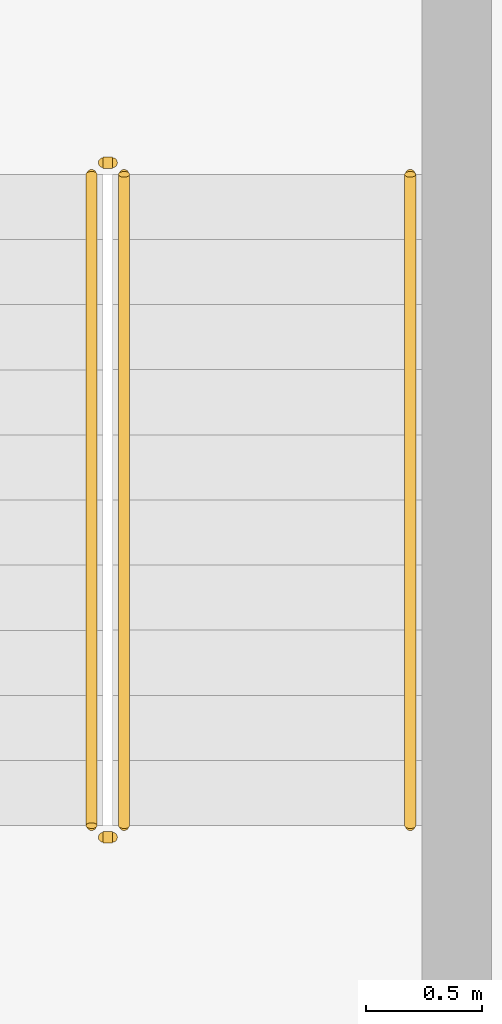
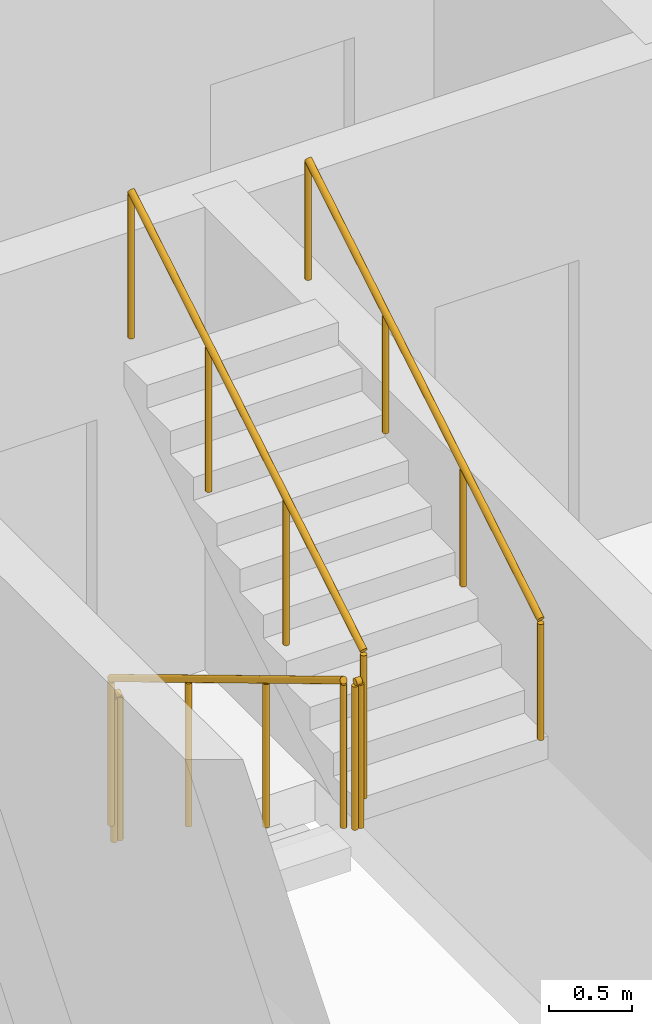
# One storey, part 21 of 22: 5 railings.
"""IFC4 building model written with IfcOpenShell, lengths in metres."""

from ifc_helpers import new_model, si_unit, direction, frame, origin, origin_2d, place, context, subcontext, project, spatial, circle, extrude, material, type_object, element, save


model = new_model("IFC4")

# Units and contexts
model_context = context("Model", 3, precision=1e-05, world=origin(), true_north=direction((0.0, 1.0)))
body_context = subcontext(model_context, "Body", "Model", "MODEL_VIEW")
ifc_project = project(units=[si_unit("LENGTHUNIT", "METRE"), si_unit("AREAUNIT", "SQUARE_METRE"), si_unit("VOLUMEUNIT", "CUBIC_METRE"), si_unit("PLANEANGLEUNIT", "RADIAN"), si_unit("MASSUNIT", "GRAM", prefix="KILO")], contexts=[model_context])

# Site, building, storey
site_placement = place(None, origin())
site = spatial("IfcSite", under=ifc_project, at=site_placement, CompositionType="ELEMENT")
building_placement = place(site_placement, origin())
building = spatial("IfcBuilding", under=site, at=building_placement, Name="Ogive Portal Towers", CompositionType="ELEMENT")
storey_placement = place(building_placement, frame((0.0, 0.0, 113.0)))
storey = spatial("IfcBuildingStorey", under=building, at=storey_placement, Name="L27", CompositionType="ELEMENT", Elevation=113.0)

# Railings
ifc_material_1 = material(Name="Stainless steel balustrade", Category="steel")
railing_type_1 = type_object("IfcRailingType", Name="INT-GUARD", PredefinedType="GUARDRAIL", material=ifc_material_1)
railing_1_placement = place(storey_placement, frame((88.280029296875, 29.169921875, 0.168212890625)))
element("IfcRailing", 1, at=railing_1_placement, inside=storey, type_object=railing_type_1, Name="L27 ST-A4 stair guard 1", PredefinedType="GUARDRAIL", context=body_context, shape_type="SweptSolid", body=[
    extrude(circle(Radius=0.02392578125, at=origin_2d()), frame((0.0, 0.0, 1.076171875), z_axis=(0.0, -0.857222391501, 0.514946377315), x_axis=(1.0, 0.0, 0.0)), (0.0, 0.0, 1.0), 3.26611328125),
    extrude(circle(Radius=0.02099609375, at=origin_2d()), origin(), (0.0, 0.0, 1.0), 1.052001953125),
    extrude(circle(Radius=0.02099609375, at=origin_2d()), frame((0.0, -0.933349609375, 0.560546875)), (0.0, 0.0, 1.0), 1.052001953125),
    extrude(circle(Radius=0.02099609375, at=origin_2d()), frame((0.0, -1.866455078125, 1.121337890625)), (0.0, 0.0, 1.0), 1.052001953125),
    extrude(circle(Radius=0.02099609375, at=origin_2d()), frame((0.0, -2.7998046875, 1.681884765625)), (0.0, 0.0, 1.0), 1.052001953125),
])
railing_2_placement = place(storey_placement, frame((88.330078125, 26.320068359375, 1.85009765625)))
element("IfcRailing", 2, at=railing_2_placement, inside=storey, type_object=railing_type_1, Name="L27 ST-A4 stair guard 2", PredefinedType="GUARDRAIL", context=body_context, shape_type="SweptSolid", body=[
    extrude(circle(Radius=0.02392578125, at=origin_2d()), frame((0.0, 0.0, 1.076171875), z_axis=(1.0, 0.0, 0.0), x_axis=(0.0, 1.0, 0.0)), (0.0, 0.0, 1.0), 0.0400390625),
    extrude(circle(Radius=0.02099609375, at=origin_2d()), origin(), (0.0, 0.0, 1.0), 1.052001953125),
    extrude(circle(Radius=0.02099609375, at=origin_2d()), frame((0.0400390625, 0.0, 0.0)), (0.0, 0.0, 1.0), 1.052001953125),
])
railing_3_placement = place(storey_placement, frame((88.419921875, 26.3701171875, 2.01806640625)))
element("IfcRailing", 3, at=railing_3_placement, inside=storey, type_object=railing_type_1, Name="L27 ST-A4 stair guard 3", PredefinedType="GUARDRAIL", context=body_context, shape_type="SweptSolid", body=[
    extrude(circle(Radius=0.02392578125, at=origin_2d()), frame((0.0, 0.0, 1.076171875), z_axis=(0.0, 0.857222391501, 0.514946377315), x_axis=(-1.0, 0.0, 0.0)), (0.0, 0.0, 1.0), 3.26611328125),
    extrude(circle(Radius=0.02099609375, at=origin_2d()), origin(), (0.0, 0.0, 1.0), 1.052001953125),
    extrude(circle(Radius=0.02099609375, at=origin_2d()), frame((0.0, 0.933349609375, 0.560546875)), (0.0, 0.0, 1.0), 1.052001953125),
    extrude(circle(Radius=0.02099609375, at=origin_2d()), frame((0.0, 1.866455078125, 1.121337890625)), (0.0, 0.0, 1.0), 1.052001953125),
    extrude(circle(Radius=0.02099609375, at=origin_2d()), frame((0.0, 2.7998046875, 1.681884765625)), (0.0, 0.0, 1.0), 1.052001953125),
])
railing_4_placement = place(storey_placement, frame((88.330078125, 29.219970703125, 0.0)))
element("IfcRailing", 4, at=railing_4_placement, inside=storey, type_object=railing_type_1, Name="L27 ST-A4 stair guard 4", PredefinedType="GUARDRAIL", context=body_context, shape_type="SweptSolid", body=[
    extrude(circle(Radius=0.02392578125, at=origin_2d()), frame((0.0, 0.0, 1.076171875), z_axis=(1.0, 0.0, 0.0), x_axis=(0.0, 1.0, 0.0)), (0.0, 0.0, 1.0), 0.0400390625),
    extrude(circle(Radius=0.02099609375, at=origin_2d()), origin(), (0.0, 0.0, 1.0), 1.052001953125),
    extrude(circle(Radius=0.02099609375, at=origin_2d()), frame((0.0400390625, 0.0, 0.0)), (0.0, 0.0, 1.0), 1.052001953125),
])
ifc_material_2 = material(Name="Stainless steel handrail", Category="steel")
railing_type_2 = type_object("IfcRailingType", Name="INT-HANDRAIL", PredefinedType="HANDRAIL", material=ifc_material_2)
railing_5_placement = place(storey_placement, frame((89.64990234375, 26.3701171875, 2.01806640625)))
element("IfcRailing", 5, at=railing_5_placement, inside=storey, type_object=railing_type_2, Name="L27 ST-A4 stair handrail 2", PredefinedType="HANDRAIL", context=body_context, shape_type="SweptSolid", body=[
    extrude(circle(Radius=0.02392578125, at=origin_2d()), frame((0.0, 0.0, 0.8759765625), z_axis=(0.0, 0.857222391501, 0.514946377315), x_axis=(-1.0, 0.0, 0.0)), (0.0, 0.0, 1.0), 3.26611328125),
    extrude(circle(Radius=0.02099609375, at=origin_2d()), origin(), (0.0, 0.0, 1.0), 0.851806640625),
    extrude(circle(Radius=0.02099609375, at=origin_2d()), frame((0.0, 0.933349609375, 0.560546875)), (0.0, 0.0, 1.0), 0.851806640625),
    extrude(circle(Radius=0.02099609375, at=origin_2d()), frame((0.0, 1.866455078125, 1.121337890625)), (0.0, 0.0, 1.0), 0.851806640625),
    extrude(circle(Radius=0.02099609375, at=origin_2d()), frame((0.0, 2.7998046875, 1.681884765625)), (0.0, 0.0, 1.0), 0.851806640625),
])

save(model, "model.ifc")
